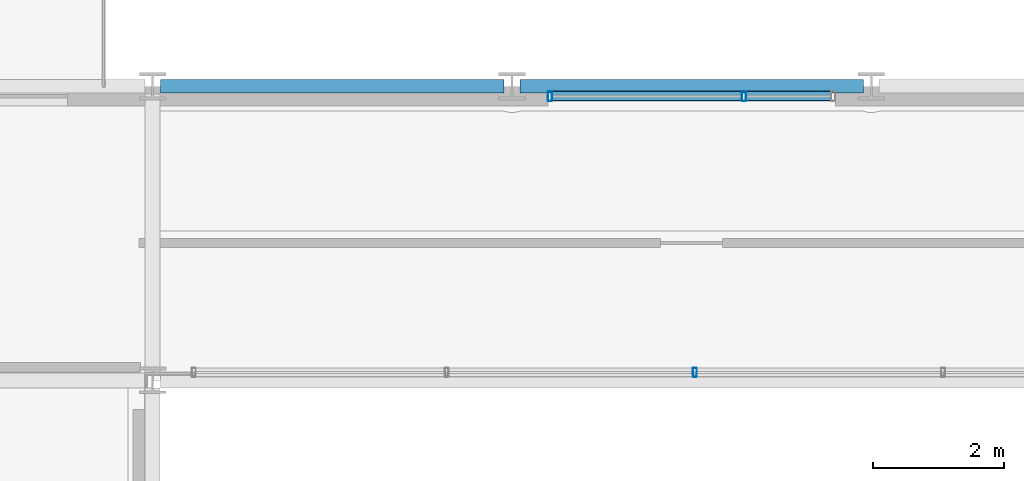
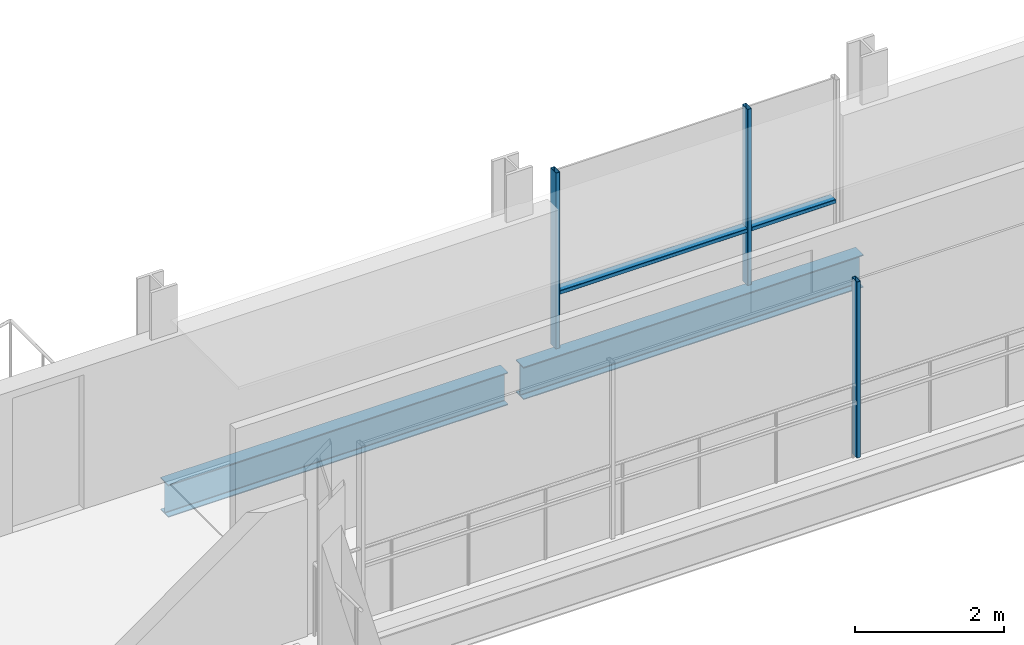
# One storey, part 13 of 40: 5 members, 2 beams, 2 elements without a shape of their own.
"""IFC4 building model written with IfcOpenShell, lengths in metres."""

from ifc_helpers import new_model, si_unit, direction, frame, origin, origin_2d, place, context, subcontext, project, spatial, hollow_rectangle, i_section, extrude, material, layer, layer_set, material_profile, profile_set, type_object, element, aggregate, save


model = new_model("IFC4")

# Units and contexts
model_context = context("Model", 3, precision=1e-05, world=origin(), true_north=direction((0.0, 1.0)))
body_context = subcontext(model_context, "Body", "Model", "MODEL_VIEW")
ifc_project = project(units=[si_unit("LENGTHUNIT", "METRE"), si_unit("AREAUNIT", "SQUARE_METRE"), si_unit("VOLUMEUNIT", "CUBIC_METRE"), si_unit("PLANEANGLEUNIT", "RADIAN"), si_unit("MASSUNIT", "GRAM", prefix="KILO")], contexts=[model_context])

# Site, building, storey
site_placement = place(None, origin())
site = spatial("IfcSite", under=ifc_project, at=site_placement, CompositionType="ELEMENT")
building_placement = place(site_placement, origin())
building = spatial("IfcBuilding", under=site, at=building_placement, Name="Brevholm Reach", CompositionType="ELEMENT")
storey_placement = place(building_placement, frame((0.0, 0.0, 148.0)))
storey = spatial("IfcBuildingStorey", under=building, at=storey_placement, Name="L44", CompositionType="ELEMENT", Elevation=148.0)

# Beams
ifc_material_1 = material(Name="Structural Steel S355J2", Category="steel")
ifc_material_profile_1 = material_profile(ifc_material_1, i_section(OverallWidth=0.209228515625, OverallDepth=0.533203125, WebThickness=0.010009765625, FlangeThickness=0.015625, FilletRadius=0.0126953125, at=origin_2d()), Name="UKB 533x210x92")
ifc_profile_set_1 = profile_set([ifc_material_profile_1], Name="Structural Steel S355J2")
beam_type = type_object("IfcBeamType", Name="BM-SP533", PredefinedType="SPANDREL", material=ifc_profile_set_1)
for number, where, z_axis, x_axis, name in (
    (1, (21.8701171875, 31.0, -0.486572265625), (1.0, 0.0, 0.0), (0.0, 1.0, 0.0), "L44 SP-02 Framing Beam"),
    (2, (27.3701171875, 31.0, -0.486572265625), (1.0, 0.0, 0.0), (0.0, 1.0, 0.0), "L44 SP-02 Framing Beam"),
):
    element("IfcBeam", number, at=place(storey_placement, frame(where, z_axis=z_axis, x_axis=x_axis)), inside=storey, type_object=beam_type, Name=name, PredefinedType="SPANDREL", context=body_context, shape_type="SweptSolid", body=[
        extrude(i_section(OverallWidth=0.209228515625, OverallDepth=0.533203125, WebThickness=0.010009765625, FlangeThickness=0.015625, FilletRadius=0.0126953125, at=origin_2d()), origin(), (0.0, 0.0, 1.0), 5.259765625),
    ])

# Curtain wall, member
ifc_material_2 = material(Name="Dark Anodised Aluminium 6063-T6 and Solar-Control Glass", Category="aluminium")
ifc_layer_1 = layer(ifc_material_2, 0.139892578125)
ifc_layer_set_1 = layer_set([ifc_layer_1], Name="Dark Anodised Aluminium 6063-T6 and Solar-Control Glass")
curtain_wall_type_1 = type_object("IfcCurtainWallType", Name="CW-02", PredefinedType="NOTDEFINED", material=ifc_layer_set_1)
curtain_wall_1_placement = place(storey_placement, origin())
curtain_wall_1 = element("IfcCurtainWall", 3, at=curtain_wall_1_placement, inside=storey, type_object=curtain_wall_type_1, Name="L44 Curtain Wall CW-02", PredefinedType="NOTDEFINED")
ifc_material_3 = material(Name="Dark Anodised Aluminium 6063-T6", Category="aluminium")
ifc_material_profile_2 = material_profile(ifc_material_3, hollow_rectangle(XDim=0.06005859375, YDim=0.139892578125, WallThickness=0.0048828125, InnerFilletRadius=0.0048828125, OuterFilletRadius=0.010009765625, at=origin_2d()), Name="RHS 140x60x5")
ifc_profile_set_2 = profile_set([ifc_material_profile_2], Name="Dark Anodised Aluminium 6063-T6")
member_type_1 = type_object("IfcMemberType", Name="CWM-140", PredefinedType="MULLION", material=ifc_profile_set_2)
member_1_placement = place(storey_placement, frame((30.050048828125, 26.6201171875, 0.0), z_axis=(0.0, 0.0, 1.0), x_axis=(-1.0, 0.0, 0.0)))
member_1 = element("IfcMember", 4, at=member_1_placement, type_object=member_type_1, Name="CM-140 Mullion 3", PredefinedType="MULLION", context=body_context, shape_type="SweptSolid", body=[
    extrude(hollow_rectangle(XDim=0.06005859375, YDim=0.139892578125, WallThickness=0.0048828125, InnerFilletRadius=0.0048828125, OuterFilletRadius=0.010009765625, at=origin_2d()), origin(), (0.0, 0.0, 1.0), 2.8798828125),
])
aggregate(curtain_wall_1, [member_1])

# Curtain wall, members
ifc_material_4 = material(Name="Dark Anodised Aluminium 6063-T6 and Solar-Control Glass", Category="aluminium")
ifc_layer_2 = layer(ifc_material_4, 0.14990234375)
ifc_layer_set_2 = layer_set([ifc_layer_2], Name="Dark Anodised Aluminium 6063-T6 and Solar-Control Glass")
curtain_wall_type_2 = type_object("IfcCurtainWallType", Name="CW-01", PredefinedType="NOTDEFINED", material=ifc_layer_set_2)
curtain_wall_2_placement = place(storey_placement, origin())
curtain_wall_2 = element("IfcCurtainWall", 5, at=curtain_wall_2_placement, inside=storey, type_object=curtain_wall_type_2, Name="L44 Curtain Wall CW-01", PredefinedType="NOTDEFINED")
ifc_material_5 = material(Name="Dark Anodised Aluminium 6063-T6", Category="aluminium")
ifc_material_profile_3 = material_profile(ifc_material_5, hollow_rectangle(XDim=0.06494140625, YDim=0.14990234375, WallThickness=0.0048828125, InnerFilletRadius=0.0048828125, OuterFilletRadius=0.010009765625, at=origin_2d()), Name="RHS 150x65x5")
ifc_profile_set_3 = profile_set([ifc_material_profile_3], Name="Dark Anodised Aluminium 6063-T6")
member_type_2 = type_object("IfcMemberType", Name="CWM-150", PredefinedType="MULLION", material=ifc_profile_set_3)
member_2_placement = place(storey_placement, frame((27.83251953125, 30.85009765625, 0.0), z_axis=(0.0, 0.0, 1.0), x_axis=(1.0, 0.0, 0.0)))
member_2 = element("IfcMember", 6, at=member_2_placement, type_object=member_type_2, Name="CM-150 Mullion 1", PredefinedType="MULLION", context=body_context, shape_type="SweptSolid", body=[
    extrude(hollow_rectangle(XDim=0.06494140625, YDim=0.14990234375, WallThickness=0.0048828125, InnerFilletRadius=0.0048828125, OuterFilletRadius=0.010009765625, at=origin_2d()), origin(), (0.0, 0.0, 1.0), 2.8798828125),
])
member_3_placement = place(storey_placement, frame((30.800048828125, 30.85009765625, 0.0), z_axis=(0.0, 0.0, 1.0), x_axis=(1.0, 0.0, 0.0)))
member_3 = element("IfcMember", 7, at=member_3_placement, type_object=member_type_2, Name="CM-150 Mullion 2", PredefinedType="MULLION", context=body_context, shape_type="SweptSolid", body=[
    extrude(hollow_rectangle(XDim=0.06494140625, YDim=0.14990234375, WallThickness=0.0048828125, InnerFilletRadius=0.0048828125, OuterFilletRadius=0.010009765625, at=origin_2d()), origin(), (0.0, 0.0, 1.0), 2.8798828125),
])
ifc_material_6 = material(Name="Dark Anodised Aluminium 6063-T6", Category="aluminium")
ifc_material_profile_4 = material_profile(ifc_material_6, hollow_rectangle(XDim=0.06494140625, YDim=0.14990234375, WallThickness=0.0048828125, InnerFilletRadius=0.0048828125, OuterFilletRadius=0.010009765625, at=origin_2d()), Name="RHS 150x65x5")
ifc_profile_set_4 = profile_set([ifc_material_profile_4], Name="Dark Anodised Aluminium 6063-T6")
member_type_3 = type_object("IfcMemberType", Name="CWT-150", PredefinedType="NOTDEFINED", material=ifc_profile_set_4)
member_4_placement = place(storey_placement, frame((27.864990234375, 30.85009765625, 0.89990234375), z_axis=(1.0, 0.0, 0.0), x_axis=(0.0, 0.0, 1.0)))
member_4 = element("IfcMember", 8, at=member_4_placement, type_object=member_type_3, Name="CT-150 Transom 1.1", ObjectType="TRANSOM", PredefinedType="USERDEFINED", context=body_context, shape_type="SweptSolid", body=[
    extrude(hollow_rectangle(XDim=0.06494140625, YDim=0.14990234375, WallThickness=0.0048828125, InnerFilletRadius=0.0048828125, OuterFilletRadius=0.010009765625, at=origin_2d()), origin(), (0.0, 0.0, 1.0), 2.902587890625),
])
member_5_placement = place(storey_placement, frame((30.83251953125, 30.85009765625, 0.89990234375), z_axis=(1.0, 0.0, 0.0), x_axis=(0.0, 0.0, 1.0)))
member_5 = element("IfcMember", 9, at=member_5_placement, type_object=member_type_3, Name="CT-150 Transom 2.1", ObjectType="TRANSOM", PredefinedType="USERDEFINED", context=body_context, shape_type="SweptSolid", body=[
    extrude(hollow_rectangle(XDim=0.06494140625, YDim=0.14990234375, WallThickness=0.0048828125, InnerFilletRadius=0.0048828125, OuterFilletRadius=0.010009765625, at=origin_2d()), origin(), (0.0, 0.0, 1.0), 1.302490234375),
])
aggregate(curtain_wall_2, [member_2, member_3, member_4, member_5])

save(model, "model.ifc")
